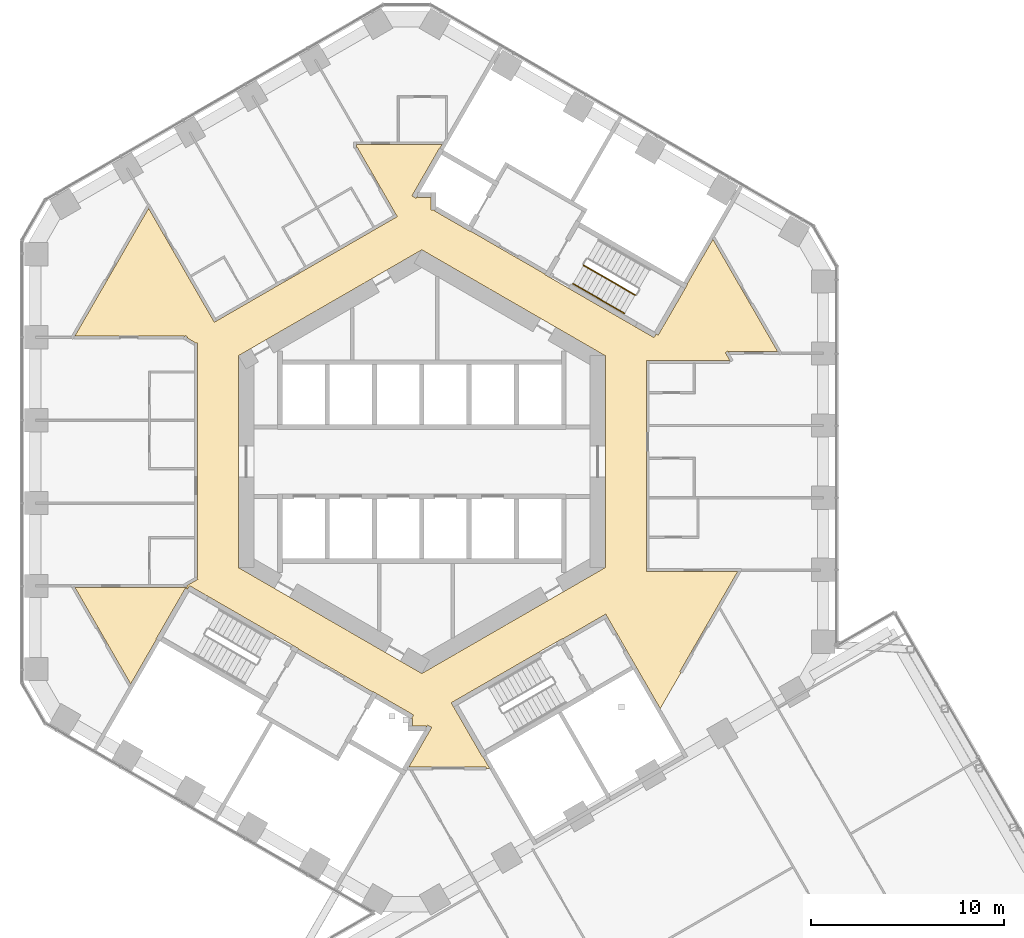
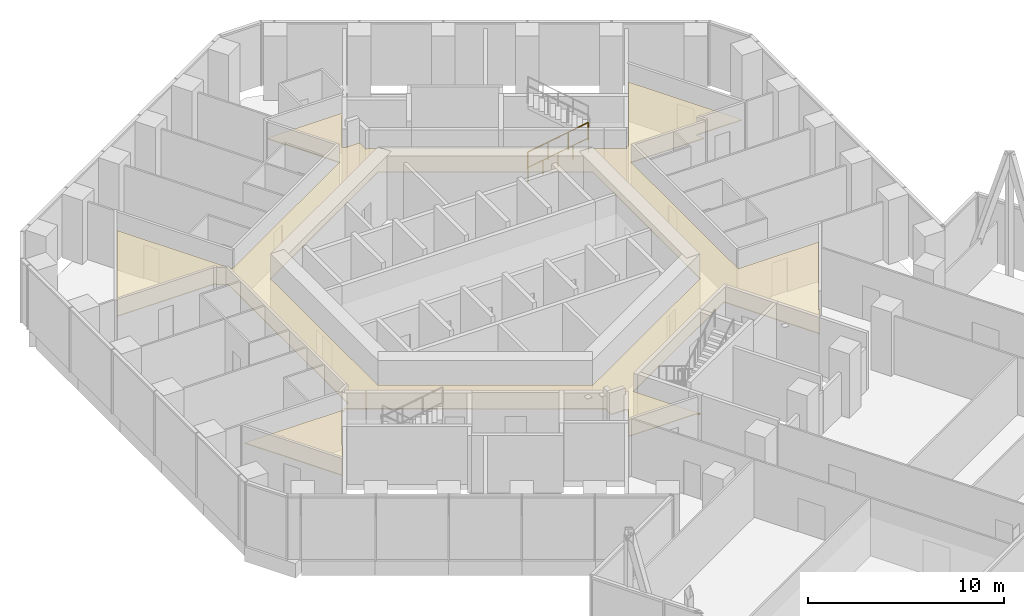
# One storey, part 26 of 27: 3 railings, 1 covering.
"""IFC4 building model written with IfcOpenShell, lengths in metres."""

import ifcopenshell
import ifcopenshell.guid

model = None  # the IFC model being written
_history = None  # IfcOwnerHistory: only IFC2X3 demands one
_inside = {}  # id of a spatial element -> (the spatial element, [elements in it])
_under = {}  # id of a project, library or spatial element -> (it, [spatial elements below it])
_declared = {}  # id of a project -> (the project, [libraries it declares])
_typed = {}  # id of a type object -> (the type object, [elements of that type])
_made_of = {}  # id of a material, layer set ... -> (it, [elements and type objects made of it])


def new_model(schema):
    """Start an empty IFC model of exactly this schema.

    Asked for "IFC4X3", IfcOpenShell would pick the latest addendum, in which some entities
    have other attributes; the version numbers below select the first issue.
    IFC2X3 requires an IfcOwnerHistory on every rooted entity: one is made here for all.
    """
    global model, _history
    if schema == "IFC4X3":
        model = ifcopenshell.file(schema_version=(4, 3, 0, 0))
    else:
        model = ifcopenshell.file(schema=schema)
    _inside.clear()
    _under.clear()
    _declared.clear()
    _typed.clear()
    _made_of.clear()
    _history = None
    if model.schema == "IFC2X3":
        org = make("IfcOrganization", Name="unknown")
        user = make(
            "IfcPersonAndOrganization",
            ThePerson=make("IfcPerson", FamilyName="unknown"),
            TheOrganization=org,
        )
        app = make(
            "IfcApplication",
            ApplicationDeveloper=org,
            Version="unknown",
            ApplicationFullName="unknown",
            ApplicationIdentifier="unknown",
        )
        _history = make(
            "IfcOwnerHistory",
            OwningUser=user,
            OwningApplication=app,
            ChangeAction="ADDED",
            CreationDate=0,
        )
    return model


def make(cls, **values):
    """One entity of the class cls with the attributes given. An attribute that is None is left unset."""
    return model.create_entity(
        cls, **{name: value for name, value in values.items() if value is not None}
    )


def rooted(cls, **values):
    """An entity with a GlobalId (a new one), such as an element, a storey or a relation."""
    return make(cls, GlobalId=ifcopenshell.guid.new(), OwnerHistory=_history, **values)


def si_unit(unit_type, name, prefix=None):
    """IfcSIUnit, for example si_unit("LENGTHUNIT", "METRE", prefix="MILLI")."""
    return make("IfcSIUnit", UnitType=unit_type, Prefix=prefix, Name=name)


def assignment(units):
    """IfcUnitAssignment: the units of a project."""
    return None if units is None else make("IfcUnitAssignment", Units=units)


def point(xyz):
    """IfcCartesianPoint."""
    return None if xyz is None else make("IfcCartesianPoint", Coordinates=xyz)


def direction(xyz):
    """IfcDirection."""
    return None if xyz is None else make("IfcDirection", DirectionRatios=xyz)


def frame(location, z_axis=None, x_axis=None):
    """IfcAxis2Placement3D, a coordinate frame: its origin and axes. An axis left out is left unset."""
    return make(
        "IfcAxis2Placement3D",
        Location=point(location),
        Axis=direction(z_axis),
        RefDirection=direction(x_axis),
    )


def frame_2d(location, x_axis=None):
    """IfcAxis2Placement2D, a coordinate frame in the plane: its origin and x axis."""
    return make(
        "IfcAxis2Placement2D", Location=point(location), RefDirection=direction(x_axis)
    )


def origin():
    """The frame at (0, 0, 0) with its axes left unset."""
    return frame((0.0, 0.0, 0.0))


def origin_2d():
    """The frame at (0, 0) in the plane with its x axis left unset."""
    return frame_2d((0.0, 0.0))


def place(relative_to, where):
    """IfcLocalPlacement: puts the frame where relative to a parent placement (None: the world)."""
    return make(
        "IfcLocalPlacement", PlacementRelTo=relative_to, RelativePlacement=where
    )


def context(
    kind, dimensions, precision=None, world=None, true_north=None, identifier=None
):
    """IfcGeometricRepresentationContext, for example the 3D "Model" context."""
    return make(
        "IfcGeometricRepresentationContext",
        ContextIdentifier=identifier,
        ContextType=kind,
        CoordinateSpaceDimension=dimensions,
        Precision=precision,
        WorldCoordinateSystem=world,
        TrueNorth=true_north,
    )


def subcontext(parent, identifier, kind, view, scale=None):
    """IfcGeometricRepresentationSubContext, for example "Body" below "Model"."""
    return make(
        "IfcGeometricRepresentationSubContext",
        ContextIdentifier=identifier,
        ContextType=kind,
        ParentContext=parent,
        TargetScale=scale,
        TargetView=view,
    )


def project(units=None, contexts=None):
    """IfcProject with its units and contexts."""
    return rooted(
        "IfcProject",
        Name="project",
        RepresentationContexts=contexts,
        UnitsInContext=assignment(units),
    )


def spatial(cls, under=None, at=None, **own):
    """A site, building, storey or space (cls), placed at a placement, below another one or the project."""
    s = rooted(cls, ObjectPlacement=at, **own)
    if under is not None:
        _under.setdefault(under.id(), (under, []))[1].append(s)
    return s


def polyline(points):
    """IfcPolyline through the points."""
    return make("IfcPolyline", Points=[point(p) for p in points])


def profile(cls, at=None, kind="AREA", **sizes):
    """A parametric profile (cls). Its sizes go by their IFC names, for example OverallWidth=200.0."""
    return make(cls, ProfileType=kind, Position=at, **sizes)


def circle(**sizes):
    """IfcCircleProfileDef."""
    return profile("IfcCircleProfileDef", **sizes)


def outline(outer, holes=None, kind="AREA"):
    """IfcArbitraryClosedProfileDef: a profile drawn as a closed curve; with holes, ...WithVoids."""
    if holes is None:
        return make("IfcArbitraryClosedProfileDef", ProfileType=kind, OuterCurve=outer)
    return make(
        "IfcArbitraryProfileDefWithVoids",
        ProfileType=kind,
        OuterCurve=outer,
        InnerCurves=holes,
    )


def extrude(swept, where, along, depth):
    """IfcExtrudedAreaSolid: the profile swept, set in the frame where, extruded along a direction by depth."""
    return make(
        "IfcExtrudedAreaSolid",
        SweptArea=swept,
        Position=where,
        ExtrudedDirection=direction(along),
        Depth=depth,
    )


def shape(context_of_items, identifier, shape_type, items):
    """IfcShapeRepresentation: the items that make up one representation, for example the "Body"."""
    return make(
        "IfcShapeRepresentation",
        ContextOfItems=context_of_items,
        RepresentationIdentifier=identifier,
        RepresentationType=shape_type,
        Items=items,
    )


def material(Name=None, Category=None):
    """IfcMaterial."""
    return make("IfcMaterial", Name=Name, Category=Category)


def layer(
    of_material, thickness, ventilated=None, Name=None, Category=None, Priority=None
):
    """IfcMaterialLayer: one layer of a wall or slab, of a material (None: an air gap)."""
    return make(
        "IfcMaterialLayer",
        Material=of_material,
        LayerThickness=thickness,
        IsVentilated=ventilated,
        Name=Name,
        Category=Category,
        Priority=Priority,
    )


def layer_set(layers, Name=None):
    """IfcMaterialLayerSet."""
    return make("IfcMaterialLayerSet", MaterialLayers=layers, LayerSetName=Name)


def made_of(thing, what):
    """Note that an element or type object is made of a material, layer set ...; save() writes the relation."""
    if what is not None:
        _made_of.setdefault(what.id(), (what, []))[1].append(thing)
    return thing


def type_object(cls, material=None, **own):
    """A type object (cls), such as IfcWallType, which elements share."""
    return made_of(rooted(cls, **own), material)


def element(
    cls,
    number,
    at=None,
    inside=None,
    cuts=None,
    type_object=None,
    material=None,
    context=None,
    identifier="Body",
    shape_type=None,
    held_by="IfcProductDefinitionShape",
    body=None,
    shapes=None,
    **own,
):
    """One element of the class cls, such as IfcWall. Its Tag is "e" and its number.

    at: its placement. inside: the storey or other place that contains it. cuts: it is an
    opening in that element (IfcRelVoidsElement). A single representation is given by context,
    identifier, shape_type and body (its items); several are given by shapes. held_by: the class
    of the entity that holds the representations. save() writes the other relations.
    """
    e = rooted(cls, Tag="e%d" % number, ObjectPlacement=at, **own)
    if body is not None:
        shapes = [shape(context, identifier, shape_type, body)]
    if shapes is not None:
        e.Representation = make(held_by, Representations=shapes)
    if inside is not None:
        _inside.setdefault(inside.id(), (inside, []))[1].append(e)
    if cuts is not None:
        rooted(
            "IfcRelVoidsElement", RelatingBuildingElement=cuts, RelatedOpeningElement=e
        )
    if type_object is not None:
        _typed.setdefault(type_object.id(), (type_object, []))[1].append(e)
    return made_of(e, material)


def aggregate(whole, parts):
    """IfcRelAggregates: a whole, such as a stair, and the parts it consists of."""
    return rooted("IfcRelAggregates", RelatingObject=whole, RelatedObjects=parts)


def save(model, path):
    """Write the relations noted so far, then the file.

    IfcRelAggregates (storeys below a building ...), IfcRelContainedInSpatialStructure (elements
    in a storey), IfcRelDefinesByType, IfcRelAssociatesMaterial and IfcRelDeclares: one each for
    every whole, place, type object, material and project.
    """
    for whole, parts in _under.values():
        aggregate(whole, parts)
    for where, things in _inside.values():
        rooted(
            "IfcRelContainedInSpatialStructure",
            RelatedElements=things,
            RelatingStructure=where,
        )
    for kind, things in _typed.values():
        rooted("IfcRelDefinesByType", RelatedObjects=things, RelatingType=kind)
    for what, things in _made_of.values():
        rooted("IfcRelAssociatesMaterial", RelatedObjects=things, RelatingMaterial=what)
    for by, libraries in _declared.values():
        rooted("IfcRelDeclares", RelatingContext=by, RelatedDefinitions=libraries)
    model.write(path)


model = new_model("IFC4")

# Units and contexts
model_context = context("Model", 3, precision=1e-05, world=origin(), true_north=direction((0.0, 1.0)))
body_context = subcontext(model_context, "Body", "Model", "MODEL_VIEW")
ifc_project = project(units=[si_unit("LENGTHUNIT", "METRE"), si_unit("AREAUNIT", "SQUARE_METRE"), si_unit("VOLUMEUNIT", "CUBIC_METRE"), si_unit("PLANEANGLEUNIT", "RADIAN"), si_unit("MASSUNIT", "GRAM", prefix="KILO")], contexts=[model_context])

# Site, building, storey
site_placement = place(None, origin())
site = spatial("IfcSite", under=ifc_project, at=site_placement, CompositionType="ELEMENT")
building_placement = place(site_placement, origin())
building = spatial("IfcBuilding", under=site, at=building_placement, Name="Ayvan Gate Tower", CompositionType="ELEMENT")
storey_placement = place(building_placement, frame((0.0, 0.0, 70.300048828125)))
storey = spatial("IfcBuildingStorey", under=building, at=storey_placement, Name="L18", CompositionType="ELEMENT", Elevation=70.300048828125)

# Covering
ifc_material_1 = material(Name="Plasterboard suspended ceiling")
ifc_layer = layer(ifc_material_1, 0.050048828125)
ifc_layer_set = layer_set([ifc_layer], Name="Plasterboard suspended ceiling")
covering_type = type_object("IfcCoveringType", Name="CT-SUSP-50", PredefinedType="CEILING", material=ifc_layer_set)
covering_placement = place(storey_placement, frame((0.0, 0.0, 2.39990234375)))
element("IfcCovering", 1, at=covering_placement, inside=storey, type_object=covering_type, Name="Ceiling Ring Corridor L18", PredefinedType="CEILING", context=body_context, shape_type="SweptSolid", body=[
    extrude(outline(polyline([(-15.07421875, -11.509521484375), (-17.962646484375, -6.506591796875), (-12.158203125, -6.506591796875), (-12.158203125, -6.413330078125), (-11.597412109375, -6.089599609375), (-11.656494140625, -5.9873046875), (-11.625, -5.9873046875), (-11.625, 6.13720703125), (-11.743408203125, 6.13720703125), (-11.7275390625, 6.164794921875), (-12.157470703125, 6.412841796875), (-12.130615234375, 6.458984375), (-12.260498046875, 6.5341796875), (-12.30810546875, 6.45166015625), (-12.30810546875, 6.506591796875), (-17.962646484375, 6.506591796875), (-14.147216796875, 13.115478515625), (-10.74365234375, 7.220458984375), (-10.61376953125, 7.29541015625), (-1.27099609375, 12.689453125), (-1.336181640625, 12.802001953125), (-3.347412109375, 16.2861328125), (-3.375, 16.270263671875), (-3.375, 16.410400390625), (1.045166015625, 16.410400390625), (0.9404296875, 16.22900390625), (0.918701171875, 16.241455078125), (-0.511474609375, 13.76416015625), (-0.294921875, 13.63916015625), (-0.215576171875, 13.776611328125), (-0.215576171875, 13.68505859375), (0.47509765625, 13.68505859375), (0.47509765625, 13.03857421875), (0.672119140625, 13.03857421875), (0.645751953125, 12.992919921875), (2.518310546875, 11.91162109375), (2.53076171875, 11.933349609375), (6.384521484375, 9.70849609375), (6.3720703125, 9.686767578125), (6.588623046875, 9.561767578125), (11.03759765625, 6.9931640625), (12.02294921875, 6.42431640625), (12.130126953125, 6.60986328125), (12.23828125, 6.54736328125), (13.631103515625, 8.959716796875), (13.756103515625, 9.176513671875), (13.734619140625, 9.188720703125), (15.07421875, 11.50927734375), (18.431884765625, 5.694091796875), (15.89599609375, 5.694091796875), (15.89599609375, 5.63916015625), (15.848388671875, 5.721435546875), (15.71875, 5.646484375), (15.950927734375, 5.243896484375), (11.625, 5.243896484375), (11.625, -5.694091796875), (16.353515625, -5.694091796875), (13.35888671875, -10.880126953125), (13.424072265625, -10.917724609375), (12.34619140625, -12.784423828125), (11.123779296875, -10.667236328125), (9.623779296875, -8.069091796875), (9.52392578125, -7.89599609375), (7.2939453125, -9.183349609375), (7.281494140625, -9.16162109375), (1.522216796875, -12.48681640625), (1.647216796875, -12.703369140625), (3.147216796875, -15.30126953125), (3.1689453125, -15.288818359375), (3.512939453125, -15.884521484375), (3.32373046875, -15.884521484375), (3.32373046875, -15.809326171875), (-0.66943359375, -15.809326171875), (0.511474609375, -13.76416015625), (0.294921875, -13.63916015625), (0.215576171875, -13.776611328125), (0.215576171875, -13.68505859375), (-0.47509765625, -13.68505859375), (-0.47509765625, -13.28857421875), (-0.52783203125, -13.28857421875), (-0.42919921875, -13.117919921875), (-2.284423828125, -12.046630859375), (-2.518310546875, -11.91162109375), (-2.53076171875, -11.933349609375), (-6.384521484375, -9.70849609375), (-6.3720703125, -9.686767578125), (-11.03759765625, -6.9931640625), (-12.02294921875, -6.42431640625), (-12.130126953125, -6.60986328125), (-12.23828125, -6.54736328125), (-13.756103515625, -9.17626953125), (-13.734619140625, -9.188720703125), (-15.07421875, -11.509521484375)]), holes=[polyline([(9.5, 5.48486328125), (2.808349609375, 9.34814453125), (0.0, 10.9697265625), (-2.808349609375, 9.34814453125), (-9.5, 5.48486328125), (-9.5, -5.48486328125), (-2.808349609375, -9.34814453125), (0.0, -10.9697265625), (2.808349609375, -9.34814453125), (9.5, -5.48486328125), (9.5, 5.48486328125)])]), origin(), (0.0, 0.0, 1.0), 0.050048828125),
])

# Railings
ifc_material_2 = material(Name="Stainless steel balustrade", Category="steel")
railing_type_1 = type_object("IfcRailingType", Name="RL-GUARD-1100", PredefinedType="GUARDRAIL", material=ifc_material_2)
railing_placement = place(storey_placement, frame((8.381103515625, 10.16650390625, 0.16650390625)))
element("IfcRailing", 2, at=railing_placement, inside=storey, type_object=railing_type_1, Name="L18 STS1 stair guard 1", PredefinedType="GUARDRAIL", context=body_context, shape_type="SweptSolid", body=[
    extrude(circle(Radius=0.02392578125, at=origin_2d()), frame((0.0, 0.0, 1.076171875), z_axis=(0.7441639146, -0.429634447492, 0.511502013422), x_axis=(0.499992328818, 0.866029832698, 0.0)), (0.0, 0.0, 1.0), 3.58447265625),
    extrude(circle(Radius=0.02099609375, at=origin_2d()), origin(), (0.0, 0.0, 1.0), 1.052001953125),
    extrude(circle(Radius=0.02099609375, at=origin_2d()), frame((0.88916015625, -0.513427734375, 0.611083984375)), (0.0, 0.0, 1.0), 1.052001953125),
    extrude(circle(Radius=0.02099609375, at=origin_2d()), frame((1.7783203125, -1.026611328125, 1.222412109375)), (0.0, 0.0, 1.0), 1.052001953125),
    extrude(circle(Radius=0.02099609375, at=origin_2d()), frame((2.66748046875, -1.5400390625, 1.83349609375)), (0.0, 0.0, 1.0), 1.052001953125),
])
railing_type_2 = type_object("IfcRailingType", Name="RL-HANDRAIL-900", PredefinedType="HANDRAIL", material=ifc_material_2)
for number, where, name in (
    (3, (7.8310546875, 9.2138671875, 0.16650390625), "L18 STS1 stair handrail 1"),
    (4, (9.164794921875, 8.44384765625, 1.083251953125), "L18 STS1 stair handrail 2"),
):
    element("IfcRailing", number, at=place(storey_placement, frame(where)), inside=storey, type_object=railing_type_2, Name=name, PredefinedType="HANDRAIL", context=body_context, shape_type="SweptSolid", body=[
        extrude(circle(Radius=0.02392578125, at=origin_2d()), frame((0.0, 0.0, 0.8759765625), z_axis=(0.7441639146, -0.429634447492, 0.511502013422), x_axis=(0.499992328818, 0.866029832698, 0.0)), (0.0, 0.0, 1.0), 1.792236328125),
        extrude(circle(Radius=0.02099609375, at=origin_2d()), origin(), (0.0, 0.0, 1.0), 0.851806640625),
        extrude(circle(Radius=0.02099609375, at=origin_2d()), frame((0.6669921875, -0.385009765625, 0.45849609375)), (0.0, 0.0, 1.0), 0.851806640625),
        extrude(circle(Radius=0.02099609375, at=origin_2d()), frame((1.333740234375, -0.77001953125, 0.916748046875)), (0.0, 0.0, 1.0), 0.851806640625),
    ])

save(model, "model.ifc")
